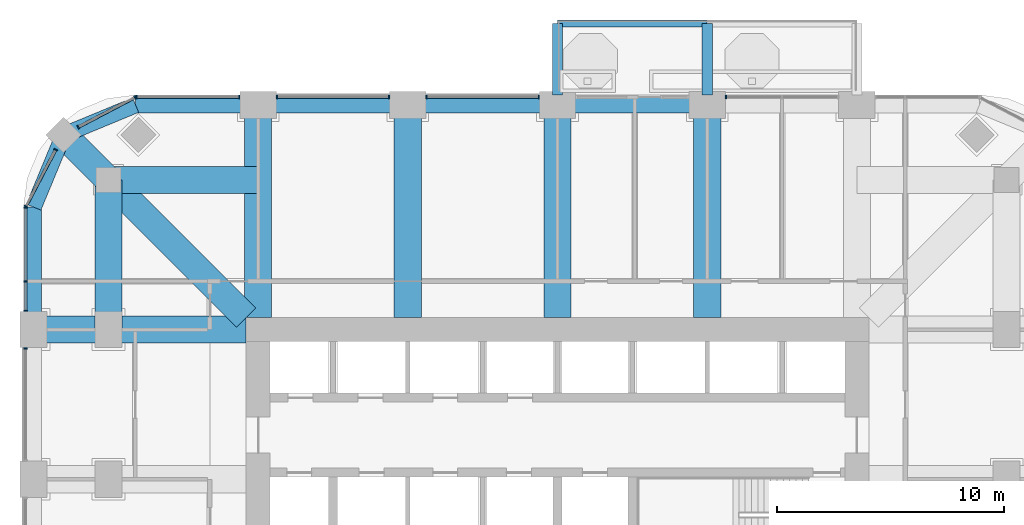
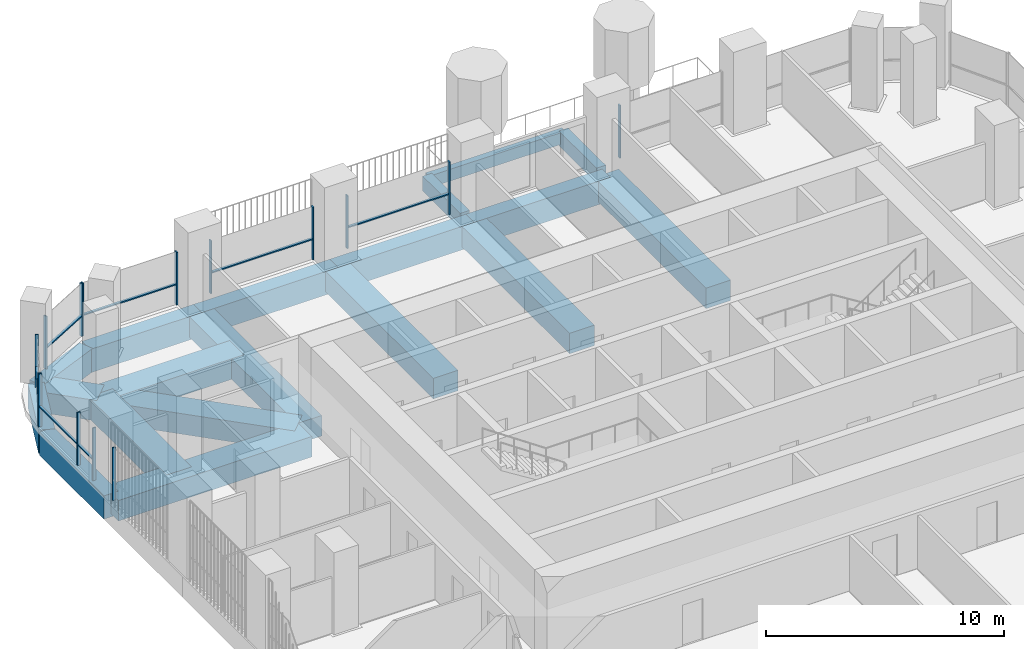
# One storey, part 6 of 19: 22 members, 19 beams, 8 elements without a shape of their own.
"""IFC4 building model written with IfcOpenShell, lengths in metres."""

from ifc_helpers import new_model, si_unit, direction, frame, origin, origin_2d, place, context, subcontext, project, spatial, rectangle, extrude, material, material_profile, profile_set, type_object, element, aggregate, save


model = new_model("IFC4")

# Units and contexts
model_context = context("Model", 3, precision=1e-05, world=origin(), true_north=direction((0.0, 1.0)))
body_context = subcontext(model_context, "Body", "Model", "MODEL_VIEW")
ifc_project = project(units=[si_unit("LENGTHUNIT", "METRE"), si_unit("AREAUNIT", "SQUARE_METRE"), si_unit("VOLUMEUNIT", "CUBIC_METRE"), si_unit("PLANEANGLEUNIT", "RADIAN"), si_unit("MASSUNIT", "GRAM", prefix="KILO")], contexts=[model_context])

# Site, building, storey
site_placement = place(None, origin())
site = spatial("IfcSite", under=ifc_project, at=site_placement, CompositionType="ELEMENT")
building_placement = place(site_placement, origin())
building = spatial("IfcBuilding", under=site, at=building_placement, Name="Cobogo Forest Laboratory Tower", CompositionType="ELEMENT")
storey_placement = place(building_placement, frame((0.0, 0.0, 172.5)))
storey = spatial("IfcBuildingStorey", under=building, at=storey_placement, Name="L39", CompositionType="ELEMENT", Elevation=172.5)

# Beams
ifc_material_1 = material(Name="Concrete HA-40 (C40/50)", Category="concrete")
ifc_material_profile_1 = material_profile(ifc_material_1, rectangle(XDim=0.449951171875, YDim=0.75, at=origin_2d()), Name="RC 450x750")
ifc_profile_set_1 = profile_set([ifc_material_profile_1], Name="Concrete HA-40 (C40/50)")
beam_type_1 = type_object("IfcBeamType", Name="Balcony cantilever beam 450x750", PredefinedType="BEAM", material=ifc_profile_set_1)
for number, where, z_axis, x_axis, name in (
    (1, (26.39990234375, 43.35009765625, -0.625), (0.0, 1.0, 0.0), (-1.0, 0.0, 0.0), "CB1 BAL-N1-C1 L39"),
    (2, (33.0, 43.35009765625, -0.625), (0.0, 1.0, 0.0), (-1.0, 0.0, 0.0), "CB1 BAL-N1-C2 L39"),
):
    element("IfcBeam", number, at=place(storey_placement, frame(where, z_axis=z_axis, x_axis=x_axis)), inside=storey, type_object=beam_type_1, Name=name, PredefinedType="BEAM", context=body_context, shape_type="SweptSolid", body=[
        extrude(rectangle(XDim=0.449951171875, YDim=0.75, at=origin_2d()), origin(), (0.0, 0.0, 1.0), 3.14990234375),
    ])
ifc_material_profile_2 = material_profile(ifc_material_1, rectangle(XDim=0.300048828125, YDim=0.60009765625, at=origin_2d()), Name="RC 300x600")
ifc_profile_set_2 = profile_set([ifc_material_profile_2], Name="Concrete HA-40 (C40/50)")
beam_type_2 = type_object("IfcBeamType", Name="Balcony edge beam 300x600", PredefinedType="BEAM", material=ifc_profile_set_2)
beam_1_placement = place(storey_placement, frame((26.39990234375, 46.5, -0.550048828125), z_axis=(1.0, 0.0, 0.0), x_axis=(0.0, 1.0, 0.0)))
element("IfcBeam", 3, at=beam_1_placement, inside=storey, type_object=beam_type_2, Name="BB1 BAL-N1-T1 L39", PredefinedType="BEAM", context=body_context, shape_type="SweptSolid", body=[
    extrude(rectangle(XDim=0.300048828125, YDim=0.60009765625, at=origin_2d()), origin(), (0.0, 0.0, 1.0), 6.60009765625),
])
ifc_material_profile_3 = material_profile(ifc_material_1, rectangle(XDim=1.199951171875, YDim=1.050048828125, at=origin_2d()), Name="RC 1200x1050")
ifc_profile_set_3 = profile_set([ifc_material_profile_3], Name="Concrete HA-40 (C40/50)")
beam_type_3 = type_object("IfcBeamType", Name="Laboratory floor wide beam 1200x1050", PredefinedType="BEAM", material=ifc_profile_set_3)
for number, where, z_axis, x_axis, name in (
    (4, (13.199951171875, 33.52490234375, -0.824951171875), (0.0, 1.0, 0.0), (-1.0, 0.0, 0.0), "RB1 R-3-N L39"),
    (5, (19.800048828125, 33.52490234375, -0.824951171875), (0.0, 1.0, 0.0), (-1.0, 0.0, 0.0), "RB1 R-4-N L39"),
    (6, (26.39990234375, 33.52490234375, -0.824951171875), (0.0, 1.0, 0.0), (-1.0, 0.0, 0.0), "RB1 R-5-N L39"),
    (7, (33.0, 33.52490234375, -0.824951171875), (0.0, 1.0, 0.0), (-1.0, 0.0, 0.0), "RB1 R-6-N L39"),
    (8, (12.675048828125, 33.0, -0.824951171875), (-1.0, 0.0, 0.0), (0.0, -1.0, 0.0), "RB1 R-F-W L39"),
):
    element("IfcBeam", number, at=place(storey_placement, frame(where, z_axis=z_axis, x_axis=x_axis)), inside=storey, type_object=beam_type_3, Name=name, PredefinedType="BEAM", context=body_context, shape_type="SweptSolid", body=[
        extrude(rectangle(XDim=1.199951171875, YDim=1.050048828125, at=origin_2d()), origin(), (0.0, 0.0, 1.0), 9.375),
    ])
beam_2_placement = place(storey_placement, frame((6.60009765625, 39.60009765625, -0.824951171875), z_axis=(0.0, -1.0, 0.0), x_axis=(1.0, 0.0, 0.0)))
element("IfcBeam", 9, at=beam_2_placement, inside=storey, type_object=beam_type_3, Name="RB1 G-NW-XC L39", PredefinedType="BEAM", context=body_context, shape_type="SweptSolid", body=[
    extrude(rectangle(XDim=1.199951171875, YDim=1.050048828125, at=origin_2d()), origin(), (0.0, 0.0, 1.0), 6.60009765625),
])
beam_3_placement = place(storey_placement, frame((6.60009765625, 39.60009765625, -0.824951171875), z_axis=(1.0, 0.0, 0.0), x_axis=(0.0, 1.0, 0.0)))
element("IfcBeam", 10, at=beam_3_placement, inside=storey, type_object=beam_type_3, Name="RB1 G-NW-YC L39", PredefinedType="BEAM", context=body_context, shape_type="SweptSolid", body=[
    extrude(rectangle(XDim=1.199951171875, YDim=1.050048828125, at=origin_2d()), origin(), (0.0, 0.0, 1.0), 6.599853515625),
])
beam_4_placement = place(storey_placement, frame((4.617919921875, 41.58203125, -0.824951171875), z_axis=(0.707150328948, -0.707063230743, 0.0), x_axis=(0.707063230743, 0.707150328948, 0.0)))
element("IfcBeam", 11, at=beam_4_placement, inside=storey, type_object=beam_type_3, Name="RB1 G-NW-D1 L39", PredefinedType="BEAM", context=body_context, shape_type="SweptSolid", body=[
    extrude(rectangle(XDim=1.199951171875, YDim=1.050048828125, at=origin_2d()), origin(), (0.0, 0.0, 1.0), 2.802978515625),
])
beam_5_placement = place(storey_placement, frame((6.60009765625, 39.60009765625, -0.824951171875), z_axis=(0.707092572697, -0.70712098939, 0.0), x_axis=(0.70712098939, 0.707092572697, 0.0)))
element("IfcBeam", 12, at=beam_5_placement, inside=storey, type_object=beam_type_3, Name="RB1 G-NW-D2 L39", PredefinedType="BEAM", context=body_context, shape_type="SweptSolid", body=[
    extrude(rectangle(XDim=1.199951171875, YDim=1.050048828125, at=origin_2d()), origin(), (0.0, 0.0, 1.0), 8.591552734375),
])

# Curtain wall, member
ifc_material_2 = material(Name="Aluminium curtain wall", Category="aluminium")
curtain_wall_type = type_object("IfcCurtainWallType", Name="CW-2 unitised curtain wall, solar control glazing, laboratory floors zones C and D", PredefinedType="USERDEFINED", material=ifc_material_2)
curtain_wall_1_placement = place(storey_placement, origin())
curtain_wall_1 = element("IfcCurtainWall", 13, at=curtain_wall_1_placement, inside=storey, type_object=curtain_wall_type, Name="Curtain wall 17 L39", ObjectType="UNITISED CURTAIN WALL", PredefinedType="USERDEFINED")
ifc_material_3 = material(Name="Aluminium mullion", Category="aluminium")
ifc_material_profile_4 = material_profile(ifc_material_3, rectangle(XDim=0.06005859375, YDim=0.159912109375, at=origin_2d()), Name="AL 60x160")
ifc_profile_set_4 = profile_set([ifc_material_profile_4], Name="Aluminium mullion")
member_type_1 = type_object("IfcMemberType", Name="MU-1 aluminium mullion 60x160", PredefinedType="MULLION", material=ifc_profile_set_4)
member_1_placement = place(storey_placement, frame((33.830078125, 43.25, 0.0), z_axis=(0.0, 0.0, 1.0), x_axis=(-1.0, 0.0, 0.0)))
member_1 = element("IfcMember", 14, at=member_1_placement, type_object=member_type_1, Name="CW-2 mullion 3", PredefinedType="MULLION", context=body_context, shape_type="SweptSolid", body=[
    extrude(rectangle(XDim=0.06005859375, YDim=0.159912109375, at=origin_2d()), origin(), (0.0, 0.0, 1.0), 2.699951171875),
])
aggregate(curtain_wall_1, [member_1])

# Curtain wall, members
curtain_wall_2_placement = place(storey_placement, origin())
curtain_wall_2 = element("IfcCurtainWall", 15, at=curtain_wall_2_placement, inside=storey, type_object=curtain_wall_type, Name="Curtain wall 19 L39", ObjectType="UNITISED CURTAIN WALL", PredefinedType="USERDEFINED")
member_2_placement = place(storey_placement, frame((25.570068359375, 43.25, 0.0), z_axis=(0.0, 0.0, 1.0), x_axis=(-1.0, 0.0, 0.0)))
member_2 = element("IfcMember", 16, at=member_2_placement, type_object=member_type_1, Name="CW-2 mullion 1", PredefinedType="MULLION", context=body_context, shape_type="SweptSolid", body=[
    extrude(rectangle(XDim=0.06005859375, YDim=0.159912109375, at=origin_2d()), origin(), (0.0, 0.0, 1.0), 2.699951171875),
])
member_3_placement = place(storey_placement, frame((20.6298828125, 43.25, 0.0), z_axis=(0.0, 0.0, 1.0), x_axis=(-1.0, 0.0, 0.0)))
member_3 = element("IfcMember", 17, at=member_3_placement, type_object=member_type_1, Name="CW-2 mullion 2", PredefinedType="MULLION", context=body_context, shape_type="SweptSolid", body=[
    extrude(rectangle(XDim=0.06005859375, YDim=0.159912109375, at=origin_2d()), origin(), (0.0, 0.0, 1.0), 2.699951171875),
])

curtain_wall_3_placement = place(storey_placement, origin())
curtain_wall_3 = element("IfcCurtainWall", 18, at=curtain_wall_3_placement, inside=storey, type_object=curtain_wall_type, Name="Curtain wall 20 L39", ObjectType="UNITISED CURTAIN WALL", PredefinedType="USERDEFINED")
member_4_placement = place(storey_placement, frame((18.969970703125, 43.25, 0.0), z_axis=(0.0, 0.0, 1.0), x_axis=(-1.0, 0.0, 0.0)))
member_4 = element("IfcMember", 19, at=member_4_placement, type_object=member_type_1, Name="CW-2 mullion 1", PredefinedType="MULLION", context=body_context, shape_type="SweptSolid", body=[
    extrude(rectangle(XDim=0.06005859375, YDim=0.159912109375, at=origin_2d()), origin(), (0.0, 0.0, 1.0), 2.699951171875),
])
member_5_placement = place(storey_placement, frame((14.030029296875, 43.25, 0.0), z_axis=(0.0, 0.0, 1.0), x_axis=(-1.0, 0.0, 0.0)))
member_5 = element("IfcMember", 20, at=member_5_placement, type_object=member_type_1, Name="CW-2 mullion 2", PredefinedType="MULLION", context=body_context, shape_type="SweptSolid", body=[
    extrude(rectangle(XDim=0.06005859375, YDim=0.159912109375, at=origin_2d()), origin(), (0.0, 0.0, 1.0), 2.699951171875),
])

curtain_wall_4_placement = place(storey_placement, origin())
curtain_wall_4 = element("IfcCurtainWall", 21, at=curtain_wall_4_placement, inside=storey, type_object=curtain_wall_type, Name="Curtain wall 21 L39", ObjectType="UNITISED CURTAIN WALL", PredefinedType="USERDEFINED")
member_6_placement = place(storey_placement, frame((12.3701171875, 43.25, 0.0), z_axis=(0.0, 0.0, 1.0), x_axis=(-1.0, 0.0, 0.0)))
member_6 = element("IfcMember", 22, at=member_6_placement, type_object=member_type_1, Name="CW-2 mullion 1", PredefinedType="MULLION", context=body_context, shape_type="SweptSolid", body=[
    extrude(rectangle(XDim=0.06005859375, YDim=0.159912109375, at=origin_2d()), origin(), (0.0, 0.0, 1.0), 2.699951171875),
])
member_7_placement = place(storey_placement, frame((7.830078125, 43.25, 0.0), z_axis=(0.0, 0.0, 1.0), x_axis=(-1.0, 0.0, 0.0)))
member_7 = element("IfcMember", 23, at=member_7_placement, type_object=member_type_1, Name="CW-2 mullion 2", PredefinedType="MULLION", context=body_context, shape_type="SweptSolid", body=[
    extrude(rectangle(XDim=0.06005859375, YDim=0.159912109375, at=origin_2d()), origin(), (0.0, 0.0, 1.0), 2.699951171875),
])

curtain_wall_5_placement = place(storey_placement, origin())
curtain_wall_5 = element("IfcCurtainWall", 24, at=curtain_wall_5_placement, inside=storey, type_object=curtain_wall_type, Name="Curtain wall 22 L39", ObjectType="UNITISED CURTAIN WALL", PredefinedType="USERDEFINED")
member_8_placement = place(storey_placement, frame((7.7734375, 43.236083984375, 0.0), z_axis=(0.0, 0.0, 1.0), x_axis=(-0.885686484356, -0.464283804832, 0.0)))
member_8 = element("IfcMember", 25, at=member_8_placement, type_object=member_type_1, Name="CW-2 mullion 1", PredefinedType="MULLION", context=body_context, shape_type="SweptSolid", body=[
    extrude(rectangle(XDim=0.06005859375, YDim=0.159912109375, at=origin_2d()), origin(), (0.0, 0.0, 1.0), 2.699951171875),
])
member_9_placement = place(storey_placement, frame((5.275634765625, 41.9267578125, 0.0), z_axis=(0.0, 0.0, 1.0), x_axis=(-0.885686484356, -0.464283804832, 0.0)))
member_9 = element("IfcMember", 26, at=member_9_placement, type_object=member_type_1, Name="CW-2 mullion 2", PredefinedType="MULLION", context=body_context, shape_type="SweptSolid", body=[
    extrude(rectangle(XDim=0.06005859375, YDim=0.159912109375, at=origin_2d()), origin(), (0.0, 0.0, 1.0), 2.699951171875),
])

curtain_wall_6_placement = place(storey_placement, origin())
curtain_wall_6 = element("IfcCurtainWall", 27, at=curtain_wall_6_placement, inside=storey, type_object=curtain_wall_type, Name="Curtain wall 23 L39", ObjectType="UNITISED CURTAIN WALL", PredefinedType="USERDEFINED")
member_10_placement = place(storey_placement, frame((4.2734375, 40.924560546875, 0.0), z_axis=(0.0, 0.0, 1.0), x_axis=(-0.464283804832, -0.885686484356, 0.0)))
member_10 = element("IfcMember", 28, at=member_10_placement, type_object=member_type_1, Name="CW-2 mullion 1", PredefinedType="MULLION", context=body_context, shape_type="SweptSolid", body=[
    extrude(rectangle(XDim=0.06005859375, YDim=0.159912109375, at=origin_2d()), origin(), (0.0, 0.0, 1.0), 2.699951171875),
])
member_11_placement = place(storey_placement, frame((2.9638671875, 38.426513671875, 0.0), z_axis=(0.0, 0.0, 1.0), x_axis=(-0.464283804832, -0.885686484356, 0.0)))
member_11 = element("IfcMember", 29, at=member_11_placement, type_object=member_type_1, Name="CW-2 mullion 2", PredefinedType="MULLION", context=body_context, shape_type="SweptSolid", body=[
    extrude(rectangle(XDim=0.06005859375, YDim=0.159912109375, at=origin_2d()), origin(), (0.0, 0.0, 1.0), 2.699951171875),
])

curtain_wall_7_placement = place(storey_placement, origin())
curtain_wall_7 = element("IfcCurtainWall", 30, at=curtain_wall_7_placement, inside=storey, type_object=curtain_wall_type, Name="Curtain wall 24 L39", ObjectType="UNITISED CURTAIN WALL", PredefinedType="USERDEFINED")
member_12_placement = place(storey_placement, frame((2.949951171875, 38.3701171875, 0.0), z_axis=(0.0, 0.0, 1.0), x_axis=(0.0, -1.0, 0.0)))
member_12 = element("IfcMember", 31, at=member_12_placement, type_object=member_type_1, Name="CW-2 mullion 1", PredefinedType="MULLION", context=body_context, shape_type="SweptSolid", body=[
    extrude(rectangle(XDim=0.06005859375, YDim=0.159912109375, at=origin_2d()), origin(), (0.0, 0.0, 1.0), 2.699951171875),
])
member_13_placement = place(storey_placement, frame((2.949951171875, 35.125, 0.0), z_axis=(0.0, 0.0, 1.0), x_axis=(0.0, -1.0, 0.0)))
member_13 = element("IfcMember", 32, at=member_13_placement, type_object=member_type_1, Name="CW-2 mullion 2", PredefinedType="MULLION", context=body_context, shape_type="SweptSolid", body=[
    extrude(rectangle(XDim=0.06005859375, YDim=0.159912109375, at=origin_2d()), origin(), (0.0, 0.0, 1.0), 2.699951171875),
])
member_14_placement = place(storey_placement, frame((2.949951171875, 33.830078125, 0.0), z_axis=(0.0, 0.0, 1.0), x_axis=(0.0, -1.0, 0.0)))
member_14 = element("IfcMember", 33, at=member_14_placement, type_object=member_type_1, Name="CW-2 mullion 3", PredefinedType="MULLION", context=body_context, shape_type="SweptSolid", body=[
    extrude(rectangle(XDim=0.06005859375, YDim=0.159912109375, at=origin_2d()), origin(), (0.0, 0.0, 1.0), 2.699951171875),
])

# Curtain wall, member
curtain_wall_8_placement = place(storey_placement, origin())
curtain_wall_8 = element("IfcCurtainWall", 34, at=curtain_wall_8_placement, inside=storey, type_object=curtain_wall_type, Name="Curtain wall 25 L39", ObjectType="UNITISED CURTAIN WALL", PredefinedType="USERDEFINED")
member_15_placement = place(storey_placement, frame((2.949951171875, 32.169921875, 0.0), z_axis=(0.0, 0.0, 1.0), x_axis=(0.0, -1.0, 0.0)))
member_15 = element("IfcMember", 35, at=member_15_placement, type_object=member_type_1, Name="CW-2 mullion 1", PredefinedType="MULLION", context=body_context, shape_type="SweptSolid", body=[
    extrude(rectangle(XDim=0.06005859375, YDim=0.159912109375, at=origin_2d()), origin(), (0.0, 0.0, 1.0), 2.699951171875),
])
aggregate(curtain_wall_8, [member_15])

# Beams
ifc_material_profile_5 = material_profile(ifc_material_1, rectangle(XDim=0.699951171875, YDim=1.199951171875, at=origin_2d()), Name="RC 700x1200")
ifc_profile_set_5 = profile_set([ifc_material_profile_5], Name="Concrete HA-40 (C40/50)")
beam_type_4 = type_object("IfcBeamType", Name="Perimeter edge beam 700x1200", PredefinedType="BEAM", material=ifc_profile_set_5)
beam_6_placement = place(storey_placement, frame((13.199951171875, 42.89990234375, -0.89990234375), z_axis=(1.0, 0.0, 0.0), x_axis=(0.0, 1.0, 0.0)))
element("IfcBeam", 36, at=beam_6_placement, inside=storey, type_object=beam_type_4, Name="EB1 E-N1 L39", PredefinedType="BEAM", context=body_context, shape_type="SweptSolid", body=[
    extrude(rectangle(XDim=0.699951171875, YDim=1.199951171875, at=origin_2d()), origin(), (0.0, 0.0, 1.0), 6.60009765625),
])
beam_7_placement = place(storey_placement, frame((19.800048828125, 42.89990234375, -0.89990234375), z_axis=(1.0, 0.0, 0.0), x_axis=(0.0, 1.0, 0.0)))
element("IfcBeam", 37, at=beam_7_placement, inside=storey, type_object=beam_type_4, Name="EB1 E-N2 L39", PredefinedType="BEAM", context=body_context, shape_type="SweptSolid", body=[
    extrude(rectangle(XDim=0.699951171875, YDim=1.199951171875, at=origin_2d()), origin(), (0.0, 0.0, 1.0), 6.599853515625),
])
beam_8_placement = place(storey_placement, frame((26.39990234375, 42.89990234375, -0.89990234375), z_axis=(1.0, 0.0, 0.0), x_axis=(0.0, 1.0, 0.0)))
element("IfcBeam", 38, at=beam_8_placement, inside=storey, type_object=beam_type_4, Name="EB1 E-N3 L39", PredefinedType="BEAM", context=body_context, shape_type="SweptSolid", body=[
    extrude(rectangle(XDim=0.699951171875, YDim=1.199951171875, at=origin_2d()), origin(), (0.0, 0.0, 1.0), 6.60009765625),
])
beam_9_placement = place(storey_placement, frame((13.199951171875, 42.89990234375, -0.89990234375), z_axis=(-1.0, 0.0, 0.0), x_axis=(0.0, -1.0, 0.0)))
element("IfcBeam", 39, at=beam_9_placement, inside=storey, type_object=beam_type_4, Name="EB1 E-NWN1 L39", PredefinedType="BEAM", context=body_context, shape_type="SweptSolid", body=[
    extrude(rectangle(XDim=0.699951171875, YDim=1.199951171875, at=origin_2d()), origin(), (0.0, 0.0, 1.0), 5.39990234375),
])
beam_10_placement = place(storey_placement, frame((7.800048828125, 42.89990234375, -0.89990234375), z_axis=(-0.923901072997, -0.382631424892, 0.0), x_axis=(0.382631424892, -0.923901072997, 0.0)))
element("IfcBeam", 40, at=beam_10_placement, inside=storey, type_object=beam_type_4, Name="EB1 E-NWN2 L39", PredefinedType="BEAM", context=body_context, shape_type="SweptSolid", body=[
    extrude(rectangle(XDim=0.699951171875, YDim=1.199951171875, at=origin_2d()), origin(), (0.0, 0.0, 1.0), 3.4443359375),
])
beam_11_placement = place(storey_placement, frame((3.300048828125, 33.0, -0.89990234375), z_axis=(0.0, 1.0, 0.0), x_axis=(-1.0, 0.0, 0.0)))
element("IfcBeam", 41, at=beam_11_placement, inside=storey, type_object=beam_type_4, Name="EB1 E-NWW1 L39", PredefinedType="BEAM", context=body_context, shape_type="SweptSolid", body=[
    extrude(rectangle(XDim=0.699951171875, YDim=1.199951171875, at=origin_2d()), origin(), (0.0, 0.0, 1.0), 5.39990234375),
])
beam_12_placement = place(storey_placement, frame((3.300048828125, 38.39990234375, -0.89990234375), z_axis=(0.382631424892, 0.923901072997, 0.0), x_axis=(-0.923901072997, 0.382631424892, 0.0)))
element("IfcBeam", 42, at=beam_12_placement, inside=storey, type_object=beam_type_4, Name="EB1 E-NWW2 L39", PredefinedType="BEAM", context=body_context, shape_type="SweptSolid", body=[
    extrude(rectangle(XDim=0.699951171875, YDim=1.199951171875, at=origin_2d()), origin(), (0.0, 0.0, 1.0), 3.4443359375),
])

# Member
ifc_material_4 = material(Name="Aluminium transom", Category="aluminium")
ifc_material_profile_6 = material_profile(ifc_material_4, rectangle(XDim=0.1201171875, YDim=0.06005859375, at=origin_2d()), Name="AL 60x120")
ifc_profile_set_6 = profile_set([ifc_material_profile_6], Name="Aluminium transom")
member_type_2 = type_object("IfcMemberType", Name="TR-1 aluminium transom 60x120", PredefinedType="USERDEFINED", material=ifc_profile_set_6)
member_16_placement = place(storey_placement, frame((25.5400390625, 43.25, 1.050048828125), z_axis=(-1.0, 0.0, 0.0), x_axis=(0.0, -1.0, 0.0)))
member_16 = element("IfcMember", 43, at=member_16_placement, type_object=member_type_2, Name="CW-2 transom 1.1", ObjectType="TRANSOM", PredefinedType="USERDEFINED", context=body_context, shape_type="SweptSolid", body=[
    extrude(rectangle(XDim=0.1201171875, YDim=0.06005859375, at=origin_2d()), origin(), (0.0, 0.0, 1.0), 4.880126953125),
])

aggregate(curtain_wall_2, [member_2, member_3, member_16])

member_17_placement = place(storey_placement, frame((18.93994140625, 43.25, 1.050048828125), z_axis=(-1.0, 0.0, 0.0), x_axis=(0.0, -1.0, 0.0)))
member_17 = element("IfcMember", 44, at=member_17_placement, type_object=member_type_2, Name="CW-2 transom 1.1", ObjectType="TRANSOM", PredefinedType="USERDEFINED", context=body_context, shape_type="SweptSolid", body=[
    extrude(rectangle(XDim=0.1201171875, YDim=0.06005859375, at=origin_2d()), origin(), (0.0, 0.0, 1.0), 4.8798828125),
])

aggregate(curtain_wall_3, [member_4, member_5, member_17])

member_18_placement = place(storey_placement, frame((12.340087890625, 43.25, 1.050048828125), z_axis=(-1.0, 0.0, 0.0), x_axis=(0.0, -1.0, 0.0)))
member_18 = element("IfcMember", 45, at=member_18_placement, type_object=member_type_2, Name="CW-2 transom 1.1", ObjectType="TRANSOM", PredefinedType="USERDEFINED", context=body_context, shape_type="SweptSolid", body=[
    extrude(rectangle(XDim=0.1201171875, YDim=0.06005859375, at=origin_2d()), origin(), (0.0, 0.0, 1.0), 4.47998046875),
])

aggregate(curtain_wall_4, [member_6, member_7, member_18])

member_19_placement = place(storey_placement, frame((7.746826171875, 43.22216796875, 1.050048828125), z_axis=(-0.88570166389, -0.464254846591, 0.0), x_axis=(0.464254846591, -0.88570166389, 0.0)))
member_19 = element("IfcMember", 46, at=member_19_placement, type_object=member_type_2, Name="CW-2 transom 1.1", ObjectType="TRANSOM", PredefinedType="USERDEFINED", context=body_context, shape_type="SweptSolid", body=[
    extrude(rectangle(XDim=0.1201171875, YDim=0.06005859375, at=origin_2d()), origin(), (0.0, 0.0, 1.0), 2.76025390625),
])

aggregate(curtain_wall_5, [member_8, member_9, member_19])

member_20_placement = place(storey_placement, frame((4.259521484375, 40.89794921875, 1.050048828125), z_axis=(-0.464324225592, -0.885665294301, 0.0), x_axis=(0.885665294301, -0.464324225592, 0.0)))
member_20 = element("IfcMember", 47, at=member_20_placement, type_object=member_type_2, Name="CW-2 transom 1.1", ObjectType="TRANSOM", PredefinedType="USERDEFINED", context=body_context, shape_type="SweptSolid", body=[
    extrude(rectangle(XDim=0.1201171875, YDim=0.06005859375, at=origin_2d()), origin(), (0.0, 0.0, 1.0), 2.760498046875),
])

aggregate(curtain_wall_6, [member_10, member_11, member_20])

member_21_placement = place(storey_placement, frame((2.949951171875, 38.340087890625, 1.050048828125), z_axis=(0.0, -1.0, 0.0), x_axis=(1.0, 0.0, 0.0)))
member_21 = element("IfcMember", 48, at=member_21_placement, type_object=member_type_2, Name="CW-2 transom 1.1", ObjectType="TRANSOM", PredefinedType="USERDEFINED", context=body_context, shape_type="SweptSolid", body=[
    extrude(rectangle(XDim=0.1201171875, YDim=0.06005859375, at=origin_2d()), origin(), (0.0, 0.0, 1.0), 3.18505859375),
])

member_22_placement = place(storey_placement, frame((2.949951171875, 35.094970703125, 1.050048828125), z_axis=(0.0, -1.0, 0.0), x_axis=(1.0, 0.0, 0.0)))
member_22 = element("IfcMember", 49, at=member_22_placement, type_object=member_type_2, Name="CW-2 transom 2.1", ObjectType="TRANSOM", PredefinedType="USERDEFINED", context=body_context, shape_type="SweptSolid", body=[
    extrude(rectangle(XDim=0.1201171875, YDim=0.06005859375, at=origin_2d()), origin(), (0.0, 0.0, 1.0), 1.23486328125),
])

aggregate(curtain_wall_7, [member_12, member_13, member_14, member_21, member_22])

save(model, "model.ifc")
